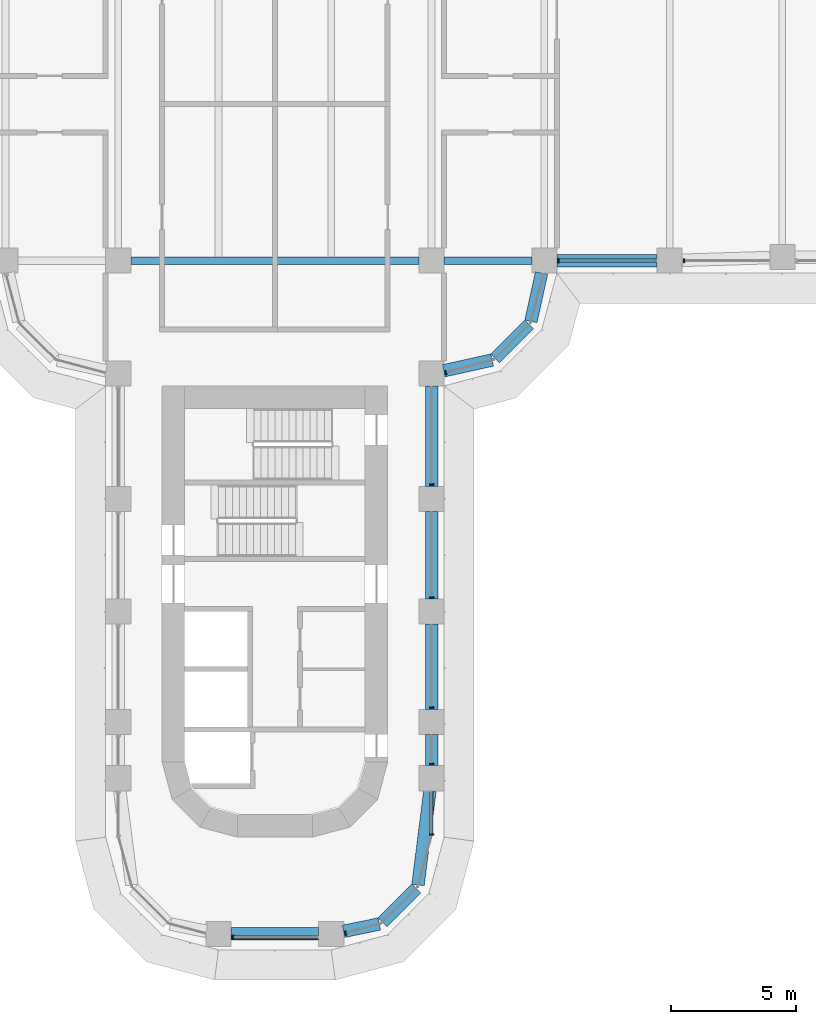
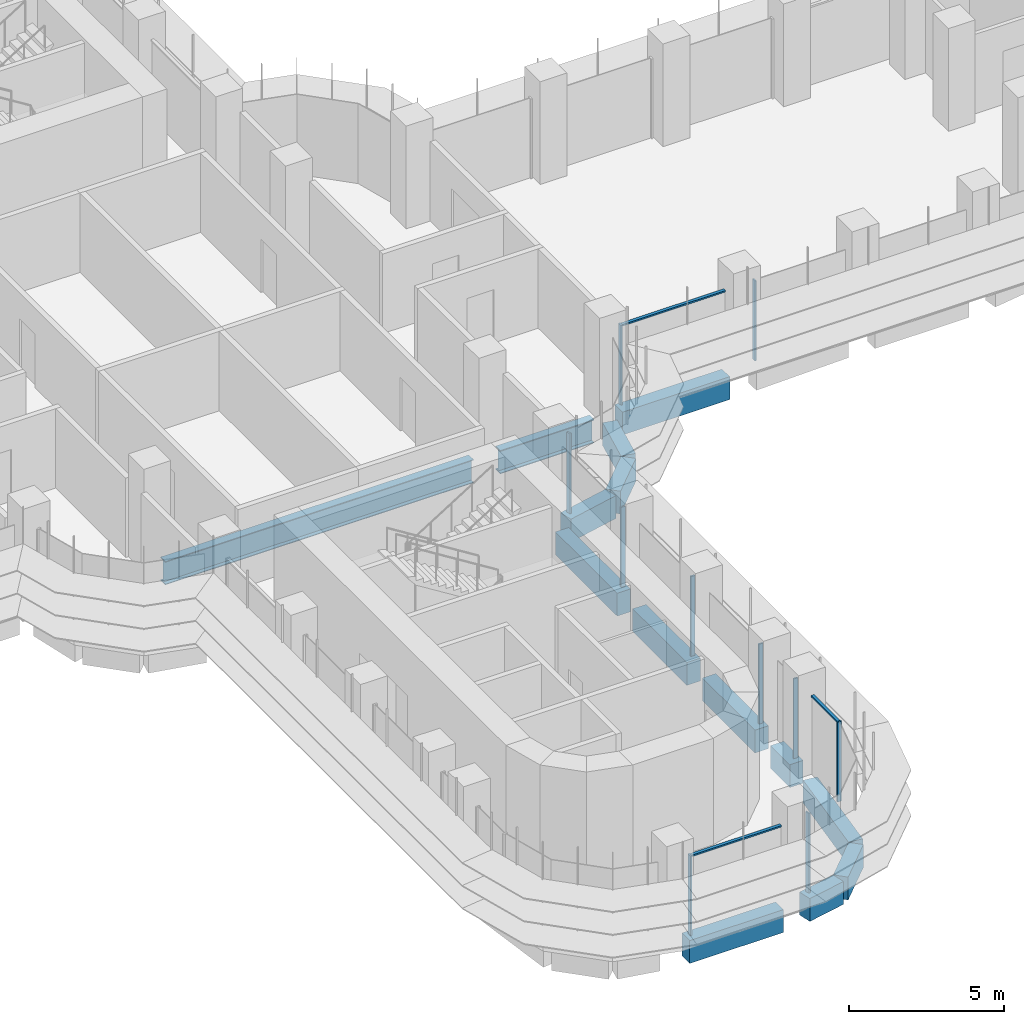
# One storey, part 4 of 23: 14 beams, 13 members, 5 elements without a shape of their own.
"""IFC4 building model written with IfcOpenShell, lengths in metres."""

from ifc_helpers import new_model, si_unit, direction, frame, origin, origin_2d, place, context, subcontext, project, spatial, polyline, rectangle, i_section, outline, extrude, source, transform, mapped, material, material_profile, profile_set, type_object, element, aggregate, save


model = new_model("IFC4")

# Units and contexts
model_context = context("Model", 3, precision=1e-05, world=origin(), true_north=direction((0.0, 1.0)))
body_context = subcontext(model_context, "Body", "Model", "MODEL_VIEW")
ifc_project = project(units=[si_unit("LENGTHUNIT", "METRE"), si_unit("AREAUNIT", "SQUARE_METRE"), si_unit("VOLUMEUNIT", "CUBIC_METRE"), si_unit("PLANEANGLEUNIT", "RADIAN"), si_unit("MASSUNIT", "GRAM", prefix="KILO")], contexts=[model_context])

# Site, building, storey
site_placement = place(None, origin())
site = spatial("IfcSite", under=ifc_project, at=site_placement, CompositionType="ELEMENT")
building_placement = place(site_placement, origin())
building = spatial("IfcBuilding", under=site, at=building_placement, Name="Zarbagh Exchange Tower", CompositionType="ELEMENT")
storey_placement = place(building_placement, frame((0.0, 0.0, 60.60009765625)))
storey = spatial("IfcBuildingStorey", under=building, at=storey_placement, Name="L13", CompositionType="ELEMENT", Elevation=60.60009765625)

# Beams
ifc_material_1 = material(Name="Steel ASTM A992 Gr 50", Category="steel")
ifc_material_profile_1 = material_profile(ifc_material_1, i_section(OverallWidth=0.3046875, OverallDepth=0.91943359375, WebThickness=0.017333984375, FlangeThickness=0.02783203125, at=origin_2d()), Name="W36X170")
ifc_profile_set_1 = profile_set([ifc_material_profile_1], Name="Steel ASTM A992 Gr 50")
beam_type_1 = type_object("IfcBeamType", Name="Floor girder W36X170", PredefinedType="BEAM", material=ifc_profile_set_1)
beam_1_placement = place(storey_placement, frame((-5.75, -6.25, -0.60986328125), z_axis=(1.0, 0.0, 0.0), x_axis=(0.0, 1.0, 0.0)))
element("IfcBeam", 1, at=beam_1_placement, inside=storey, type_object=beam_type_1, Name="Steel girder", PredefinedType="BEAM", context=body_context, shape_type="SweptSolid", body=[
    extrude(i_section(OverallWidth=0.3046875, OverallDepth=0.91943359375, WebThickness=0.017333984375, FlangeThickness=0.02783203125, at=origin_2d()), origin(), (0.0, 0.0, 1.0), 11.5),
])
beam_2_placement = place(storey_placement, frame((6.75, -6.25, -0.60986328125), z_axis=(1.0, 0.0, 0.0), x_axis=(0.0, 1.0, 0.0)))
element("IfcBeam", 2, at=beam_2_placement, inside=storey, type_object=beam_type_1, Name="Steel girder", PredefinedType="BEAM", context=body_context, shape_type="SweptSolid", body=[
    extrude(i_section(OverallWidth=0.3046875, OverallDepth=0.91943359375, WebThickness=0.017333984375, FlangeThickness=0.02783203125, at=origin_2d()), origin(), (0.0, 0.0, 1.0), 3.5),
])
ifc_material_2 = material(Name="Concrete C60/75", Category="concrete")
ifc_material_profile_2 = material_profile(ifc_material_2, rectangle(XDim=0.5, YDim=0.89990234375, at=origin_2d()), Name="RC spandrel beam 500 x 900 C60/75")
ifc_profile_set_2 = profile_set([ifc_material_profile_2], Name="Concrete C60/75")
beam_type_2 = type_object("IfcBeamType", Name="RC spandrel beam 500 x 900 C60/75", PredefinedType="SPANDREL", material=ifc_profile_set_2)
beam_3_placement = place(storey_placement, frame((15.25, -6.25, -0.60009765625), z_axis=(-1.0, 0.0, 0.0), x_axis=(0.0, -1.0, 0.0)))
element("IfcBeam", 3, at=beam_3_placement, inside=storey, type_object=beam_type_2, Name="RC spandrel beam", PredefinedType="SPANDREL", context=body_context, shape_type="SweptSolid", body=[
    extrude(rectangle(XDim=0.5, YDim=0.89990234375, at=origin_2d()), origin(), (0.0, 0.0, 1.0), 4.0),
])
beam_4_placement = place(storey_placement, frame((10.64208984375, -6.73828125, -0.60009765625), z_axis=(-0.216081063242, -0.976375426825, 0.0), x_axis=(0.976375426825, -0.216081063242, 0.0)))
element("IfcBeam", 4, at=beam_4_placement, inside=storey, type_object=beam_type_2, Name="RC spandrel beam", PredefinedType="SPANDREL", context=body_context, shape_type="SweptSolid", body=[
    extrude(rectangle(XDim=0.5, YDim=0.89990234375, at=origin_2d()), origin(), (0.0, 0.0, 1.0), 1.978271484375),
])
beam_5_placement = place(storey_placement, frame((10.147216796875, -8.792724609375, -0.60009765625), z_axis=(-0.707106781187, -0.707106781187, 0.0), x_axis=(0.707106781187, -0.707106781187, 0.0)))
element("IfcBeam", 5, at=beam_5_placement, inside=storey, type_object=beam_type_2, Name="RC spandrel beam", PredefinedType="SPANDREL", context=body_context, shape_type="SweptSolid", body=[
    extrude(rectangle(XDim=0.5, YDim=0.89990234375, at=origin_2d()), origin(), (0.0, 0.0, 1.0), 1.91552734375),
])
beam_6_placement = place(storey_placement, frame((8.669921875, -10.214599609375, -0.60009765625), z_axis=(-0.976375426825, -0.216081063242, 0.0), x_axis=(0.216081063242, -0.976375426825, 0.0)))
element("IfcBeam", 6, at=beam_6_placement, inside=storey, type_object=beam_type_2, Name="RC spandrel beam", PredefinedType="SPANDREL", context=body_context, shape_type="SweptSolid", body=[
    extrude(rectangle(XDim=0.5, YDim=0.89990234375, at=origin_2d()), origin(), (0.0, 0.0, 1.0), 1.978271484375),
])
beam_7_placement = place(storey_placement, frame((6.25, -11.25, -0.60009765625), z_axis=(0.0, -1.0, 0.0), x_axis=(1.0, 0.0, 0.0)))
element("IfcBeam", 7, at=beam_7_placement, inside=storey, type_object=beam_type_2, Name="RC spandrel beam", PredefinedType="SPANDREL", context=body_context, shape_type="SweptSolid", body=[
    extrude(rectangle(XDim=0.5, YDim=0.89990234375, at=origin_2d()), origin(), (0.0, 0.0, 1.0), 4.0),
])
beam_8_placement = place(storey_placement, frame((6.25, -16.25, -0.60009765625), z_axis=(0.0, -1.0, 0.0), x_axis=(1.0, 0.0, 0.0)))
element("IfcBeam", 8, at=beam_8_placement, inside=storey, type_object=beam_type_2, Name="RC spandrel beam", PredefinedType="SPANDREL", context=body_context, shape_type="SweptSolid", body=[
    extrude(rectangle(XDim=0.5, YDim=0.89990234375, at=origin_2d()), origin(), (0.0, 0.0, 1.0), 3.5),
])
beam_9_placement = place(storey_placement, frame((6.25, -20.75, -0.60009765625), z_axis=(0.0, -1.0, 0.0), x_axis=(1.0, 0.0, 0.0)))
element("IfcBeam", 9, at=beam_9_placement, inside=storey, type_object=beam_type_2, Name="RC spandrel beam", PredefinedType="SPANDREL", context=body_context, shape_type="SweptSolid", body=[
    extrude(rectangle(XDim=0.5, YDim=0.89990234375, at=origin_2d()), origin(), (0.0, 0.0, 1.0), 3.39990234375),
])
beam_10_placement = place(storey_placement, frame((6.25, -25.14990234375, -0.60009765625), z_axis=(0.0, -1.0, 0.0), x_axis=(1.0, 0.0, 0.0)))
element("IfcBeam", 10, at=beam_10_placement, inside=storey, type_object=beam_type_2, Name="RC spandrel beam", PredefinedType="SPANDREL", context=body_context, shape_type="SweptSolid", body=[
    extrude(rectangle(XDim=0.5, YDim=0.89990234375, at=origin_2d()), origin(), (0.0, 0.0, 1.0), 1.25),
])
beam_11_placement = place(storey_placement, frame((6.18701171875, -27.39599609375, -0.60009765625), z_axis=(-0.12591317752, -0.992041265133, 0.0), x_axis=(0.992041265133, -0.12591317752, 0.0)))
element("IfcBeam", 11, at=beam_11_placement, inside=storey, type_object=beam_type_2, Name="RC spandrel beam", PredefinedType="SPANDREL", context=body_context, shape_type="SweptSolid", body=[
    extrude(rectangle(XDim=0.5, YDim=0.89990234375, at=origin_2d()), origin(), (0.0, 0.0, 1.0), 3.790771484375),
])
beam_12_placement = place(storey_placement, frame((5.638427734375, -31.301513671875, -0.60009765625), z_axis=(-0.707042571718, -0.707170984825, 0.0), x_axis=(0.707170984825, -0.707042571718, 0.0)))
element("IfcBeam", 12, at=beam_12_placement, inside=storey, type_object=beam_type_2, Name="RC spandrel beam", PredefinedType="SPANDREL", context=body_context, shape_type="SweptSolid", body=[
    extrude(rectangle(XDim=0.5, YDim=0.89990234375, at=origin_2d()), origin(), (0.0, 0.0, 1.0), 1.901123046875),
])
beam_13_placement = place(storey_placement, frame((4.16796875, -32.714111328125, -0.60009765625), z_axis=(-0.9793713725, -0.202068589164, 0.0), x_axis=(0.202068589164, -0.9793713725, 0.0)))
element("IfcBeam", 13, at=beam_13_placement, inside=storey, type_object=beam_type_2, Name="RC spandrel beam", PredefinedType="SPANDREL", context=body_context, shape_type="SweptSolid", body=[
    extrude(rectangle(XDim=0.5, YDim=0.89990234375, at=origin_2d()), origin(), (0.0, 0.0, 1.0), 1.458251953125),
])
beam_14_placement = place(storey_placement, frame((1.75, -33.110107421875, -0.60009765625), z_axis=(-1.0, 0.0, 0.0), x_axis=(0.0, -1.0, 0.0)))
element("IfcBeam", 14, at=beam_14_placement, inside=storey, type_object=beam_type_2, Name="RC spandrel beam", PredefinedType="SPANDREL", context=body_context, shape_type="SweptSolid", body=[
    extrude(rectangle(XDim=0.5, YDim=0.89990234375, at=origin_2d()), origin(), (0.0, 0.0, 1.0), 3.5),
])

# Curtain wall, member
ifc_material_3 = material(Name="Anodised aluminium frame and glazing", Category="aluminium")
curtain_wall_type = type_object("IfcCurtainWallType", Name="CWA Ribbon glazing, lower zones", PredefinedType="NOTDEFINED", material=ifc_material_3)
curtain_wall_1_placement = place(storey_placement, origin())
curtain_wall_1 = element("IfcCurtainWall", 15, at=curtain_wall_1_placement, inside=storey, type_object=curtain_wall_type, Name="CWA01 curtain wall", PredefinedType="NOTDEFINED")
ifc_material_4 = material(Name="Anodised aluminium frame", Category="aluminium")
member_type_1 = type_object("IfcMemberType", Name="MUA Mullion, anodised aluminium frame", PredefinedType="MULLION", material=ifc_material_4)
shared_shape_1 = source(origin(), body_context, "Body", "SweptSolid", [
    extrude(outline(polyline([(0.0, -0.080078125), (0.06005859375, -0.080078125), (0.06005859375, 0.080078125), (0.0, 0.080078125), (0.0, -0.080078125)])), origin(), (0.0, 0.0, 1.0), 3.14990234375),
])
placement = place(storey_placement, origin())
member_1 = element("IfcMember", 16, at=placement, type_object=member_type_1, Name="CWA01 mullion 1.1", PredefinedType="MULLION", context=body_context, shape_type="MappedRepresentation", body=[
    mapped(shared_shape_1, transform((2.7900390625, -33.087646484375, 0.0), x_axis=(0.965924289636, 0.258824779902, 0.0), y_axis=(-0.258824779902, 0.965924289636, 0.0), z_axis=(0.0, 0.0, 1.0))),
])
aggregate(curtain_wall_1, [member_1])

# Curtain wall, members
curtain_wall_2_placement = place(storey_placement, origin())
curtain_wall_2 = element("IfcCurtainWall", 17, at=curtain_wall_2_placement, inside=storey, type_object=curtain_wall_type, Name="CWA04 curtain wall", PredefinedType="NOTDEFINED")
member_2 = element("IfcMember", 18, at=placement, type_object=member_type_1, Name="CWA04 mullion 1.1", PredefinedType="MULLION", context=body_context, shape_type="MappedRepresentation", body=[
    mapped(shared_shape_1, transform((6.25, -29.18408203125, 0.0), x_axis=(0.0, 1.0, 0.0), y_axis=(-1.0, 0.0, 0.0), z_axis=(0.0, 0.0, 1.0))),
])
member_3 = element("IfcMember", 19, at=placement, type_object=member_type_1, Name="CWA04 mullion 2.1", PredefinedType="MULLION", context=body_context, shape_type="MappedRepresentation", body=[
    mapped(shared_shape_1, transform((6.25, -26.35986328125, 0.0), x_axis=(0.0, 1.0, 0.0), y_axis=(-1.0, 0.0, 0.0), z_axis=(0.0, 0.0, 1.0))),
])
member_4 = element("IfcMember", 20, at=placement, type_object=member_type_1, Name="CWA04 mullion 3.1", PredefinedType="MULLION", context=body_context, shape_type="MappedRepresentation", body=[
    mapped(shared_shape_1, transform((6.25, -24.10986328125, 0.0), x_axis=(0.0, 1.0, 0.0), y_axis=(-1.0, 0.0, 0.0), z_axis=(0.0, 0.0, 1.0))),
])
member_5 = element("IfcMember", 21, at=placement, type_object=member_type_1, Name="CWA04 mullion 4.1", PredefinedType="MULLION", context=body_context, shape_type="MappedRepresentation", body=[
    mapped(shared_shape_1, transform((6.25, -19.7099609375, 0.0), x_axis=(0.0, 1.0, 0.0), y_axis=(-1.0, 0.0, 0.0), z_axis=(0.0, 0.0, 1.0))),
])
member_6 = element("IfcMember", 22, at=placement, type_object=member_type_1, Name="CWA04 mullion 5.1", PredefinedType="MULLION", context=body_context, shape_type="MappedRepresentation", body=[
    mapped(shared_shape_1, transform((6.25, -15.2099609375, 0.0), x_axis=(0.0, 1.0, 0.0), y_axis=(-1.0, 0.0, 0.0), z_axis=(0.0, 0.0, 1.0))),
])

# Curtain wall, member
curtain_wall_3_placement = place(storey_placement, origin())
curtain_wall_3 = element("IfcCurtainWall", 23, at=curtain_wall_3_placement, inside=storey, type_object=curtain_wall_type, Name="CWA05 curtain wall", PredefinedType="NOTDEFINED")
member_7 = element("IfcMember", 24, at=placement, type_object=member_type_1, Name="CWA05 mullion 1.1", PredefinedType="MULLION", context=body_context, shape_type="MappedRepresentation", body=[
    mapped(shared_shape_1, transform((6.7900390625, -10.7216796875, 0.0), x_axis=(0.965924289636, 0.258824779902, 0.0), y_axis=(-0.258824779902, 0.965924289636, 0.0), z_axis=(0.0, 0.0, 1.0))),
])
aggregate(curtain_wall_3, [member_7])

# Curtain wall, members
curtain_wall_4_placement = place(storey_placement, origin())
curtain_wall_4 = element("IfcCurtainWall", 25, at=curtain_wall_4_placement, inside=storey, type_object=curtain_wall_type, Name="CWA08 curtain wall", PredefinedType="NOTDEFINED")
member_8 = element("IfcMember", 26, at=placement, type_object=member_type_1, Name="CWA08 mullion 1.1", PredefinedType="MULLION", context=body_context, shape_type="MappedRepresentation", body=[
    mapped(shared_shape_1, transform((11.2900390625, -6.25, 0.0), x_axis=(1.0, 0.0, 0.0), y_axis=(0.0, 1.0, 0.0), z_axis=(0.0, 0.0, 1.0))),
])
member_9 = element("IfcMember", 27, at=placement, type_object=member_type_1, Name="CWA08 mullion 2.1", PredefinedType="MULLION", context=body_context, shape_type="MappedRepresentation", body=[
    mapped(shared_shape_1, transform((16.2900390625, -6.25, 0.0), x_axis=(1.0, 0.0, 0.0), y_axis=(0.0, 1.0, 0.0), z_axis=(0.0, 0.0, 1.0))),
])

# Curtain wall, member
curtain_wall_5_placement = place(storey_placement, origin())
curtain_wall_5 = element("IfcCurtainWall", 28, at=curtain_wall_5_placement, inside=storey, type_object=curtain_wall_type, Name="CWA48 curtain wall", PredefinedType="NOTDEFINED")
member_10 = element("IfcMember", 29, at=placement, type_object=member_type_1, Name="CWA48 mullion 1.1", PredefinedType="MULLION", context=body_context, shape_type="MappedRepresentation", body=[
    mapped(shared_shape_1, transform((-1.7099609375, -33.25, 0.0), x_axis=(1.0, 0.0, 0.0), y_axis=(0.0, 1.0, 0.0), z_axis=(0.0, 0.0, 1.0))),
])

# Member
member_type_2 = type_object("IfcMemberType", Name="TRA Transom, anodised aluminium frame", PredefinedType="USERDEFINED", material=ifc_material_4)
shared_shape_2 = source(origin(), body_context, "Body", "SweptSolid", [
    extrude(outline(polyline([(-0.06005859375, -0.06005859375), (0.0, -0.06005859375), (0.0, 0.06005859375), (-0.06005859375, 0.06005859375), (-0.06005859375, -0.06005859375)])), origin(), (0.0, 0.0, 1.0), 1.68408203125),
])
member_11 = element("IfcMember", 30, at=placement, type_object=member_type_2, Name="CWA04 transom 1.1", ObjectType="TRANSOM", PredefinedType="USERDEFINED", context=body_context, shape_type="MappedRepresentation", body=[
    mapped(shared_shape_2, transform((6.25, -29.124267578125, 3.14990234375), x_axis=(0.0, 0.0, 1.0), y_axis=(1.0, 0.0, 0.0), z_axis=(0.0, 1.0, 0.0))),
])

aggregate(curtain_wall_2, [member_2, member_11, member_3, member_4, member_5, member_6])

shared_shape_3 = source(origin(), body_context, "Body", "SweptSolid", [
    extrude(outline(polyline([(-0.06005859375, -0.06005859375), (0.0, -0.06005859375), (0.0, 0.06005859375), (-0.06005859375, 0.06005859375), (-0.06005859375, -0.06005859375)])), origin(), (0.0, 0.0, 1.0), 3.860107421875),
])
member_12 = element("IfcMember", 31, at=placement, type_object=member_type_2, Name="CWA08 transom 1.1", ObjectType="TRANSOM", PredefinedType="USERDEFINED", context=body_context, shape_type="MappedRepresentation", body=[
    mapped(shared_shape_3, transform((11.35009765625, -6.25, 3.14990234375), x_axis=(0.0, 0.0, 1.0), y_axis=(0.0, -1.0, 0.0), z_axis=(1.0, 0.0, 0.0))),
])

aggregate(curtain_wall_4, [member_8, member_12, member_9])

shared_shape_4 = source(origin(), body_context, "Body", "SweptSolid", [
    extrude(outline(polyline([(-0.06005859375, -0.06005859375), (0.0, -0.06005859375), (0.0, 0.06005859375), (-0.06005859375, 0.06005859375), (-0.06005859375, -0.06005859375)])), origin(), (0.0, 0.0, 1.0), 3.360107421875),
])
member_13 = element("IfcMember", 32, at=placement, type_object=member_type_2, Name="CWA48 transom 1.1", ObjectType="TRANSOM", PredefinedType="USERDEFINED", context=body_context, shape_type="MappedRepresentation", body=[
    mapped(shared_shape_4, transform((-1.64990234375, -33.25, 3.14990234375), x_axis=(0.0, 0.0, 1.0), y_axis=(0.0, -1.0, 0.0), z_axis=(1.0, 0.0, 0.0))),
])

aggregate(curtain_wall_5, [member_10, member_13])

save(model, "model.ifc")
